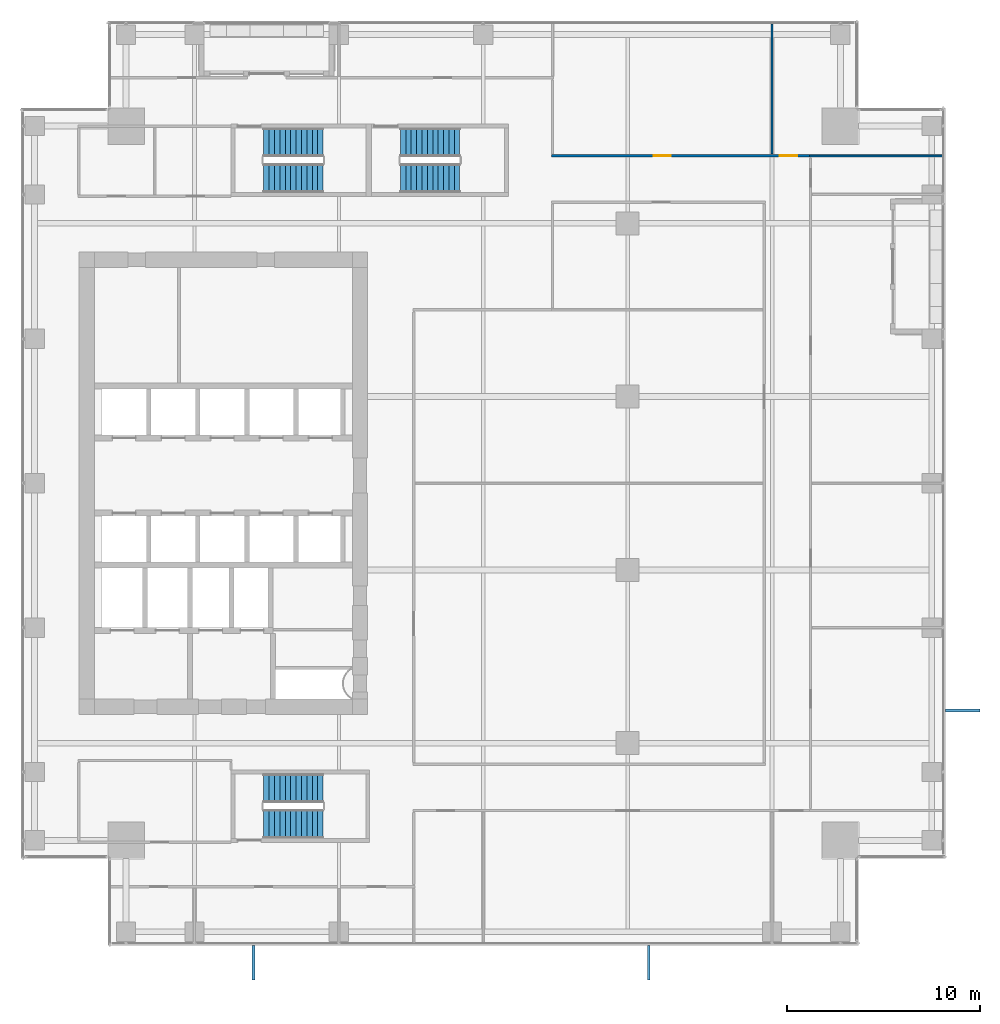
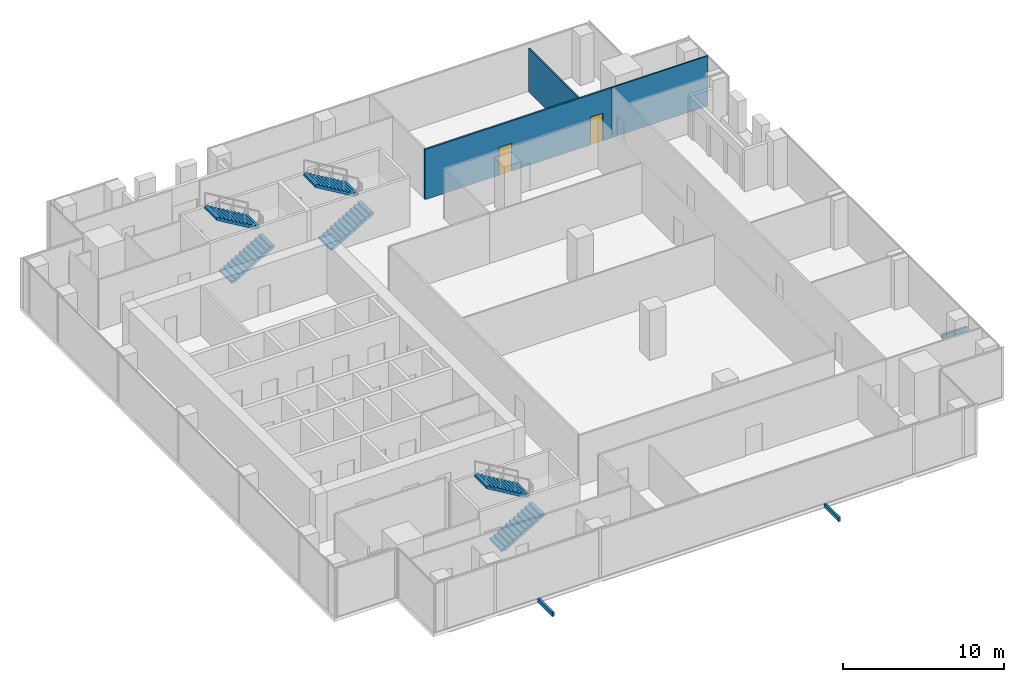
# One storey, part 37 of 40: 6 stair flights, 3 discrete accessories, 3 walls, 2 doors, 2 openings, 3 elements without a shape of their own.
"""IFC4 building model written with IfcOpenShell, lengths in metres."""

from ifc_helpers import new_model, si_unit, direction, frame, frame_2d, origin, origin_2d, place, context, subcontext, project, spatial, polyline, rectangle, outline, extrude, source, transform, mapped, material, layer, layer_set, type_object, element, fill, aggregate, save


model = new_model("IFC4")

# Units and contexts
model_context = context("Model", 3, precision=1e-05, world=origin(), true_north=direction((0.0, 1.0)))
body_context = subcontext(model_context, "Body", "Model", "MODEL_VIEW")
ifc_project = project(units=[si_unit("LENGTHUNIT", "METRE"), si_unit("AREAUNIT", "SQUARE_METRE"), si_unit("VOLUMEUNIT", "CUBIC_METRE"), si_unit("PLANEANGLEUNIT", "RADIAN"), si_unit("MASSUNIT", "GRAM", prefix="KILO")], contexts=[model_context])

# Site, building, storey
site_placement = place(None, origin())
site = spatial("IfcSite", under=ifc_project, at=site_placement, CompositionType="ELEMENT")
building_placement = place(site_placement, origin())
building = spatial("IfcBuilding", under=site, at=building_placement, Name="Khomas Fold Tower", CompositionType="ELEMENT")
storey_placement = place(building_placement, frame((0.0, 0.0, 192.699951171875)))
storey = spatial("IfcBuildingStorey", under=building, at=storey_placement, Name="L42", CompositionType="ELEMENT", Elevation=192.699951171875)

# Walls
ifc_material_1 = material(Name="Plasterboard partition")
ifc_layer_1 = layer(ifc_material_1, 0.10009765625)
ifc_layer_set_1 = layer_set([ifc_layer_1], Name="Plasterboard partition")
wall_type_1 = type_object("IfcWallType", Name="Partition PW1 100", PredefinedType="PARTITIONING", material=ifc_layer_set_1)
shared_shape_1 = source(origin(), body_context, "Body", "SweptSolid", [
    extrude(rectangle(XDim=6.75, YDim=0.10009765625, at=frame_2d((3.375, 0.0))), origin(), (0.0, 0.0, 1.0), 3.300048828125),
])
wall_1_placement = place(storey_placement, frame((42.0, 44.10009765625, 0.0), z_axis=(0.0, 0.0, 1.0), x_axis=(0.0, 1.0, 0.0)))
element("IfcWall", 1, at=wall_1_placement, inside=storey, type_object=wall_type_1, Name="Partition", PredefinedType="PARTITIONING", context=body_context, shape_type="MappedRepresentation", body=[
    mapped(shared_shape_1, transform((0.0, 0.0, 0.0))),
])
shared_shape_2 = source(origin(), body_context, "Body", "SweptSolid", [
    extrude(rectangle(XDim=6.900146484375, YDim=0.10009765625, at=frame_2d((3.4501953125, 0.0))), origin(), (0.0, 0.0, 1.0), 3.800048828125),
])
wall_2_placement = place(storey_placement, frame((43.949951171875, 44.0, 0.0), z_axis=(0.0, 0.0, 1.0), x_axis=(1.0, 0.0, 0.0)))
element("IfcWall", 2, at=wall_2_placement, inside=storey, type_object=wall_type_1, Name="Partition", PredefinedType="PARTITIONING", context=body_context, shape_type="MappedRepresentation", body=[
    mapped(shared_shape_2, transform((0.0, 0.0, 0.0))),
])

# Wall, openings, doors
ifc_material_2 = material(Name="Plasterboard partition")
ifc_layer_2 = layer(ifc_material_2, 0.125)
ifc_layer_set_2 = layer_set([ifc_layer_2], Name="Plasterboard partition")
wall_type_2 = type_object("IfcWallType", Name="Partition PW2 125", PredefinedType="PARTITIONING", material=ifc_layer_set_2)
shared_shape_3 = source(origin(), body_context, "Body", "SweptSolid", [
    extrude(rectangle(XDim=13.39990234375, YDim=0.125, at=frame_2d((6.699951171875, 0.0))), origin(), (0.0, 0.0, 1.0), 3.800048828125),
])
wall_3_placement = place(storey_placement, frame((30.550048828125, 44.0, 0.0), z_axis=(0.0, 0.0, 1.0), x_axis=(1.0, 0.0, 0.0)))
wall_3 = element("IfcWall", 3, at=wall_3_placement, inside=storey, type_object=wall_type_2, Name="Partition", PredefinedType="PARTITIONING", context=body_context, shape_type="MappedRepresentation", body=[
    mapped(shared_shape_3, transform((0.0, 0.0, 0.0))),
])
shared_shape_4 = source(origin(), body_context, "Body", "SweptSolid", [
    extrude(rectangle(XDim=0.89990234375, YDim=2.10009765625, at=frame_2d((0.449951171875, 1.050048828125))), frame((0.0, 0.072509765625, 0.0), z_axis=(0.0, -1.0, 0.0), x_axis=(1.0, 0.0, 0.0)), (0.0, 0.0, 1.0), 0.14501953125),
])
opening_1_placement = place(wall_3_placement, frame((5.300048828125, 0.0, 0.0)))
opening_1 = element("IfcOpeningElement", 4, at=opening_1_placement, cuts=wall_3, Name="Opening 0007", PredefinedType="OPENING", context=body_context, shape_type="MappedRepresentation", body=[
    mapped(shared_shape_4, transform((0.0, 0.0, 0.0))),
])
opening_2_placement = place(wall_3_placement, frame((11.85009765625, 0.0, 0.0)))
opening_2 = element("IfcOpeningElement", 5, at=opening_2_placement, cuts=wall_3, Name="Opening 0008", PredefinedType="OPENING", context=body_context, shape_type="MappedRepresentation", body=[
    mapped(shared_shape_4, transform((0.0, 0.0, 0.0))),
])
ifc_material_3 = material(Name="Timber door leaf", Category="wood")
door_type_1 = type_object("IfcDoorType", Name="Door 900x2100 left-hand", OperationType="SINGLE_SWING_LEFT", PredefinedType="DOOR", material=ifc_material_3)
shared_shape_5 = source(origin(), body_context, "Body", "SweptSolid", [
    extrude(rectangle(XDim=0.89990234375, YDim=2.10009765625, at=frame_2d((0.449951171875, 1.050048828125))), frame((0.0, 0.02490234375, 0.0), z_axis=(0.0, -1.0, 0.0), x_axis=(1.0, 0.0, 0.0)), (0.0, 0.0, 1.0), 0.050048828125),
])
door_1_placement = place(opening_1_placement, origin())
door_1 = element("IfcDoor", 6, at=door_1_placement, inside=storey, type_object=door_type_1, Name="Door", OperationType="SINGLE_SWING_LEFT", OverallHeight=2.10009765625, OverallWidth=0.89990234375, PredefinedType="DOOR", context=body_context, shape_type="MappedRepresentation", body=[
    mapped(shared_shape_5, transform((0.0, 0.0, 0.0))),
])
fill(opening_1, door_1)
ifc_material_4 = material(Name="Timber door leaf", Category="wood")
door_type_2 = type_object("IfcDoorType", Name="Door 900x2100 right-hand", OperationType="SINGLE_SWING_RIGHT", PredefinedType="DOOR", material=ifc_material_4)
door_2_placement = place(opening_2_placement, origin())
door_2 = element("IfcDoor", 7, at=door_2_placement, inside=storey, type_object=door_type_2, Name="Door", OperationType="SINGLE_SWING_RIGHT", OverallHeight=2.10009765625, OverallWidth=0.89990234375, PredefinedType="DOOR", context=body_context, shape_type="MappedRepresentation", body=[
    mapped(shared_shape_5, transform((0.0, 0.0, 0.0))),
])
fill(opening_2, door_2)

# Stair, stair flights
ifc_material_5 = material(Name="Concrete C40/50", Category="concrete")
stair_type_1 = type_object("IfcStairType", Name="Stair ST1", PredefinedType="HALF_TURN_STAIR", material=ifc_material_5)
stair_1_placement = place(storey_placement, origin())
stair_1 = element("IfcStair", 8, at=stair_1_placement, inside=storey, type_object=stair_type_1, Name="L42 ST1", PredefinedType="HALF_TURN_STAIR")
ifc_material_6 = material(Name="Concrete C40/50", Category="concrete")
stair_flight_type_1 = type_object("IfcStairFlightType", Name="Stair flight 1500 ST1", PredefinedType="STRAIGHT", material=ifc_material_6)
shared_shape_6 = source(origin(), body_context, "Body", "SweptSolid", [
    extrude(outline(polyline([(0.0, 0.0), (0.0, 0.012939453125), (0.0, 0.025634765625), (0.0, 0.03857421875), (0.0, 0.05126953125), (0.0, 0.064208984375), (0.0, 0.076904296875), (0.0, 0.08984375), (0.0, 0.1025390625), (0.0, 0.115478515625), (0.0, 0.128173828125), (0.0, 0.14111328125), (0.0, 0.15380859375), (0.0, 0.166748046875), (0.280029296875, 0.166748046875), (0.280029296875, 0.333251953125), (0.56005859375, 0.333251953125), (0.56005859375, 0.5), (0.840087890625, 0.5), (0.840087890625, 0.666748046875), (1.1201171875, 0.666748046875), (1.1201171875, 0.833251953125), (1.39990234375, 0.833251953125), (1.39990234375, 1.0), (1.679931640625, 1.0), (1.679931640625, 1.166748046875), (1.9599609375, 1.166748046875), (1.9599609375, 1.333251953125), (2.239990234375, 1.333251953125), (2.239990234375, 1.5), (2.52001953125, 1.5), (2.52001953125, 1.666748046875), (2.800048828125, 1.666748046875), (2.800048828125, 1.833251953125), (3.080078125, 1.833251953125), (3.080078125, 2.0), (3.080078125, 1.973876953125), (3.080078125, 1.947509765625), (3.080078125, 1.92138671875), (3.080078125, 1.89501953125), (3.080078125, 1.868896484375), (3.080078125, 1.842529296875), (3.080078125, 1.81640625), (3.080078125, 1.7900390625), (3.080078125, 1.763916015625), (3.080078125, 1.737548828125), (3.080078125, 1.71142578125), (3.080078125, 1.68505859375), (3.080078125, 1.658935546875), (0.29296875, 0.0), (0.0, 0.0)])), frame((0.0, 0.75, 0.0), z_axis=(0.0, -1.0, 0.0), x_axis=(1.0, 0.0, 0.0)), (0.0, 0.0, 1.0), 1.5),
])
stair_flight_1_placement = place(storey_placement, frame((15.60009765625, 42.85009765625, 0.0), z_axis=(0.0, 0.0, 1.0), x_axis=(1.0, 0.0, 0.0)))
stair_flight_1 = element("IfcStairFlight", 9, at=stair_flight_1_placement, type_object=stair_flight_type_1, Name="ST1 flight 1", NumberOfRisers=12, NumberOfTreads=11, PredefinedType="STRAIGHT", RiserHeight=0.166666667, TreadLength=0.28, context=body_context, shape_type="MappedRepresentation", body=[
    mapped(shared_shape_6, transform((0.0, 0.0, 0.0))),
])
stair_flight_2_placement = place(storey_placement, frame((18.679931640625, 44.699951171875, 2.0), z_axis=(0.0, 0.0, 1.0), x_axis=(-1.0, 0.0, 0.0)))
stair_flight_2 = element("IfcStairFlight", 10, at=stair_flight_2_placement, type_object=stair_flight_type_1, Name="ST1 flight 2", NumberOfRisers=12, NumberOfTreads=11, PredefinedType="STRAIGHT", RiserHeight=0.166666667, TreadLength=0.28, context=body_context, shape_type="MappedRepresentation", body=[
    mapped(shared_shape_6, transform((0.0, 0.0, 0.0))),
])
aggregate(stair_1, [stair_flight_1, stair_flight_2])

ifc_material_7 = material(Name="Concrete C40/50", Category="concrete")
stair_type_2 = type_object("IfcStairType", Name="Stair ST2", PredefinedType="HALF_TURN_STAIR", material=ifc_material_7)
stair_2_placement = place(storey_placement, origin())
stair_2 = element("IfcStair", 11, at=stair_2_placement, inside=storey, type_object=stair_type_2, Name="L42 ST2", PredefinedType="HALF_TURN_STAIR")
ifc_material_8 = material(Name="Concrete C40/50", Category="concrete")
stair_flight_type_2 = type_object("IfcStairFlightType", Name="Stair flight 1500 ST2", PredefinedType="STRAIGHT", material=ifc_material_8)
stair_flight_3_placement = place(storey_placement, frame((15.60009765625, 9.300048828125, 0.0), z_axis=(0.0, 0.0, 1.0), x_axis=(1.0, 0.0, 0.0)))
stair_flight_3 = element("IfcStairFlight", 12, at=stair_flight_3_placement, type_object=stair_flight_type_2, Name="ST2 flight 1", NumberOfRisers=12, NumberOfTreads=11, PredefinedType="STRAIGHT", RiserHeight=0.166666667, TreadLength=0.28, context=body_context, shape_type="MappedRepresentation", body=[
    mapped(shared_shape_6, transform((0.0, 0.0, 0.0))),
])
stair_flight_4_placement = place(storey_placement, frame((18.679931640625, 11.14990234375, 2.0), z_axis=(0.0, 0.0, 1.0), x_axis=(-1.0, 0.0, 0.0)))
stair_flight_4 = element("IfcStairFlight", 13, at=stair_flight_4_placement, type_object=stair_flight_type_2, Name="ST2 flight 2", NumberOfRisers=12, NumberOfTreads=11, PredefinedType="STRAIGHT", RiserHeight=0.166666667, TreadLength=0.28, context=body_context, shape_type="MappedRepresentation", body=[
    mapped(shared_shape_6, transform((0.0, 0.0, 0.0))),
])
aggregate(stair_2, [stair_flight_3, stair_flight_4])

ifc_material_9 = material(Name="Concrete C40/50", Category="concrete")
stair_type_3 = type_object("IfcStairType", Name="Stair ST3", PredefinedType="HALF_TURN_STAIR", material=ifc_material_9)
stair_3_placement = place(storey_placement, origin())
stair_3 = element("IfcStair", 14, at=stair_3_placement, inside=storey, type_object=stair_type_3, Name="L42 ST3", PredefinedType="HALF_TURN_STAIR")
ifc_material_10 = material(Name="Concrete C40/50", Category="concrete")
stair_flight_type_3 = type_object("IfcStairFlightType", Name="Stair flight 1500 ST3", PredefinedType="STRAIGHT", material=ifc_material_10)
stair_flight_5_placement = place(storey_placement, frame((22.699951171875, 42.85009765625, 0.0), z_axis=(0.0, 0.0, 1.0), x_axis=(1.0, 0.0, 0.0)))
stair_flight_5 = element("IfcStairFlight", 15, at=stair_flight_5_placement, type_object=stair_flight_type_3, Name="ST3 flight 1", NumberOfRisers=12, NumberOfTreads=11, PredefinedType="STRAIGHT", RiserHeight=0.166666667, TreadLength=0.28, context=body_context, shape_type="MappedRepresentation", body=[
    mapped(shared_shape_6, transform((0.0, 0.0, 0.0))),
])
stair_flight_6_placement = place(storey_placement, frame((25.780029296875, 44.699951171875, 2.0), z_axis=(0.0, 0.0, 1.0), x_axis=(-1.0, 0.0, 0.0)))
stair_flight_6 = element("IfcStairFlight", 16, at=stair_flight_6_placement, type_object=stair_flight_type_3, Name="ST3 flight 2", NumberOfRisers=12, NumberOfTreads=11, PredefinedType="STRAIGHT", RiserHeight=0.166666667, TreadLength=0.28, context=body_context, shape_type="MappedRepresentation", body=[
    mapped(shared_shape_6, transform((0.0, 0.0, 0.0))),
])
aggregate(stair_3, [stair_flight_5, stair_flight_6])

# Discrete accessories
ifc_material_11 = material(Name="Stainless steel", Category="steel")
discrete_accessory_type = type_object("IfcDiscreteAccessoryType", Name="SK-Stainless steel stone bracket", PredefinedType="BRACKET", material=ifc_material_11)
shared_shape_7 = source(origin(), body_context, "Body", "SweptSolid", [
    extrude(rectangle(XDim=1.802490234375, YDim=0.14990234375, at=origin_2d()), origin(), (0.0, 0.0, 1.0), 0.31005859375),
])
for number, where, z_axis, x_axis, name in (
    (17, (15.064208984375, 2.098876953125, -0.25), (0.0, 0.0, 1.0), (0.0, -1.0, 0.0), "Stone bracket L42 SS03-1-2"),
    (18, (35.599853515625, 2.098876953125, -0.25), (0.0, 0.0, 1.0), (0.0, -1.0, 0.0), "Stone bracket L42 SS06-2-2"),
    (19, (51.901123046875, 15.19189453125, -0.25), (0.0, 0.0, 1.0), (1.0, 0.0, 0.0), "Stone bracket L42 ES03-1-2"),
):
    element("IfcDiscreteAccessory", number, at=place(storey_placement, frame(where, z_axis=z_axis, x_axis=x_axis)), inside=storey, type_object=discrete_accessory_type, Name=name, PredefinedType="BRACKET", context=body_context, shape_type="MappedRepresentation", body=[
        mapped(shared_shape_7, transform((0.0, 0.0, 0.0))),
    ])

save(model, "model.ifc")
